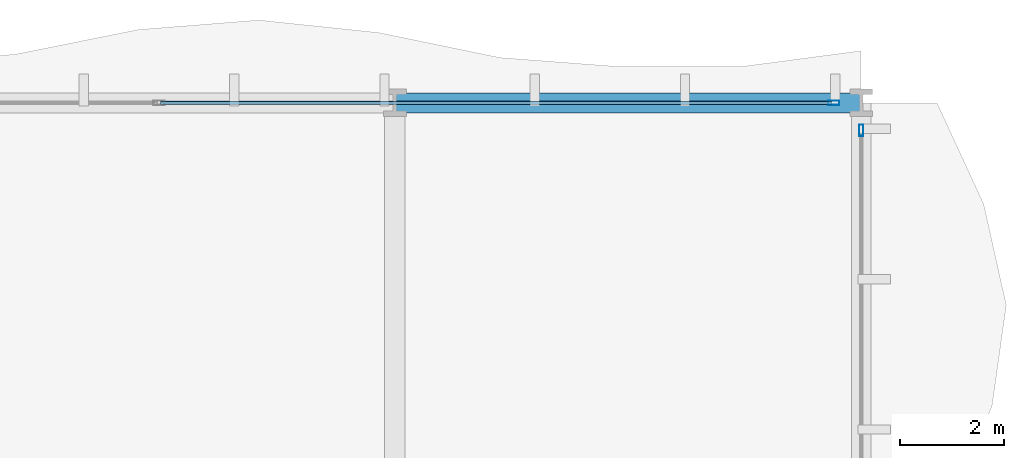
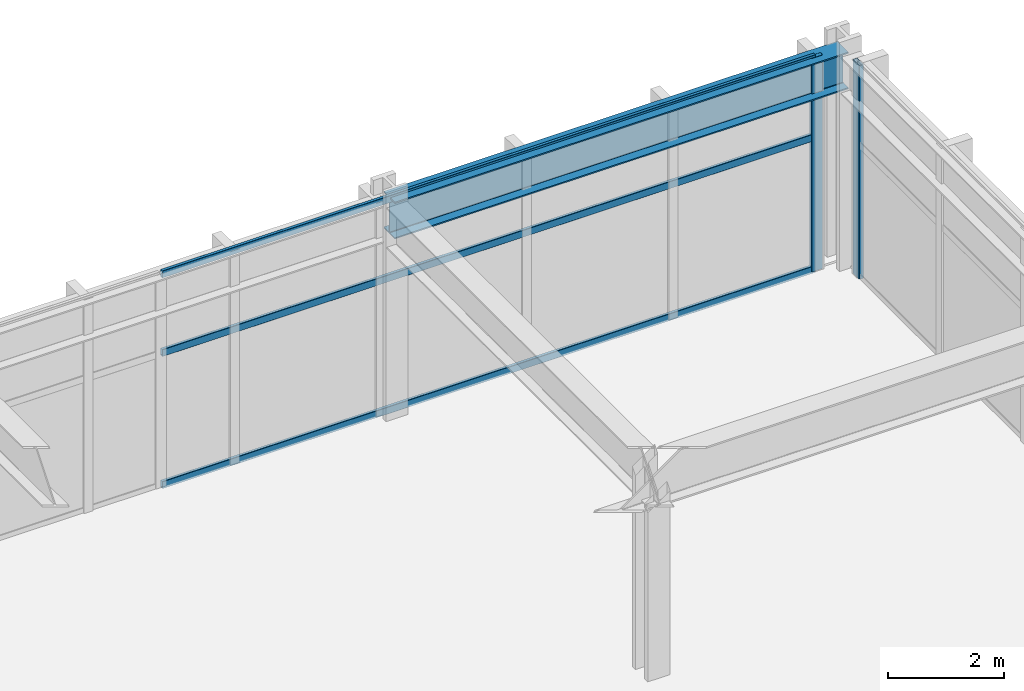
# One storey, part 18 of 29: 5 members, 1 beam, 2 elements without a shape of their own.
"""IFC4 building model written with IfcOpenShell, lengths in metres."""

from ifc_helpers import new_model, si_unit, direction, frame, origin, origin_2d, place, context, subcontext, project, spatial, hollow_rectangle, i_section, extrude, material, layer, layer_set, material_profile, profile_set, type_object, element, aggregate, save


model = new_model("IFC4")

# Units and contexts
model_context = context("Model", 3, precision=1e-05, world=origin(), true_north=direction((0.0, 1.0)))
body_context = subcontext(model_context, "Body", "Model", "MODEL_VIEW")
ifc_project = project(units=[si_unit("LENGTHUNIT", "METRE"), si_unit("AREAUNIT", "SQUARE_METRE"), si_unit("VOLUMEUNIT", "CUBIC_METRE"), si_unit("PLANEANGLEUNIT", "RADIAN"), si_unit("MASSUNIT", "GRAM", prefix="KILO")], contexts=[model_context])

# Site, building, storey
site_placement = place(None, origin())
site = spatial("IfcSite", under=ifc_project, at=site_placement, CompositionType="ELEMENT")
building_placement = place(site_placement, origin())
building = spatial("IfcBuilding", under=site, at=building_placement, Name="Solvaryn Broadcast Tower", CompositionType="ELEMENT")
storey_placement = place(building_placement, frame((0.0, 0.0, 21.199951171875)))
storey = spatial("IfcBuildingStorey", under=building, at=storey_placement, Name="L04", CompositionType="ELEMENT", Elevation=21.199951171875)

# Beam
ifc_material_1 = material(Name="Steel ASTM A992 Grade 50", Category="steel")
ifc_material_profile_1 = material_profile(ifc_material_1, i_section(OverallWidth=0.381103515625, OverallDepth=0.77294921875, WebThickness=0.0166015625, FlangeThickness=0.027099609375, FilletRadius=0.01806640625, at=origin_2d()))
ifc_profile_set_1 = profile_set([ifc_material_profile_1], Name="Steel ASTM A992 Grade 50")
beam_type = type_object("IfcBeamType", Name="BM-SP1-W30X173", PredefinedType="USERDEFINED", material=ifc_profile_set_1)
beam_placement = place(storey_placement, frame((54.0, 54.0, 4.093505859375), z_axis=(1.0, 0.0, 0.0), x_axis=(0.0, 1.0, 0.0)))
element("IfcBeam", 1, at=beam_placement, inside=storey, type_object=beam_type, Name="L04 Spandrel Beam X (54-63 @ Y=54)", ObjectType="SPANDREL", PredefinedType="USERDEFINED", context=body_context, shape_type="SweptSolid", body=[
    extrude(i_section(OverallWidth=0.381103515625, OverallDepth=0.77294921875, WebThickness=0.0166015625, FlangeThickness=0.027099609375, FilletRadius=0.01806640625, at=origin_2d()), origin(), (0.0, 0.0, 1.0), 9.0),
])

# Curtain wall, member
ifc_material_2 = material(Name="Aluminium and Terracotta Unitised Curtain Wall", Category="masonry")
ifc_layer = layer(ifc_material_2, 0.219970703125)
ifc_layer_set = layer_set([ifc_layer], Name="CW-SYS1-PODIUM")
curtain_wall_type = type_object("IfcCurtainWallType", Name="CW-SYS1-PODIUM", PredefinedType="NOTDEFINED", material=ifc_layer_set)
curtain_wall_1_placement = place(storey_placement, origin())
curtain_wall_1 = element("IfcCurtainWall", 2, at=curtain_wall_1_placement, inside=storey, type_object=curtain_wall_type, Name="L04 Podium Curtain Wall N2", PredefinedType="NOTDEFINED")
ifc_material_3 = material(Name="Anodised Aluminium 6063-T6", Category="aluminium")
ifc_material_profile_2 = material_profile(ifc_material_3, hollow_rectangle(XDim=0.0849609375, YDim=0.219970703125, WallThickness=0.0048828125, InnerFilletRadius=0.0048828125, OuterFilletRadius=0.010009765625, at=origin_2d()))
ifc_profile_set_2 = profile_set([ifc_material_profile_2], Name="Anodised Aluminium 6063-T6")
member_type_1 = type_object("IfcMemberType", Name="CW-MUL-220", PredefinedType="MULLION", material=ifc_profile_set_2)
member_1_placement = place(storey_placement, frame((62.469970703125, 54.0, 0.0), z_axis=(0.0, 0.0, 1.0), x_axis=(0.0, 1.0, 0.0)))
member_1 = element("IfcMember", 3, at=member_1_placement, type_object=member_type_1, Name="CWS1 mullion 3", PredefinedType="MULLION", context=body_context, shape_type="SweptSolid", body=[
    extrude(hollow_rectangle(XDim=0.0849609375, YDim=0.219970703125, WallThickness=0.0048828125, InnerFilletRadius=0.0048828125, OuterFilletRadius=0.010009765625, at=origin_2d()), origin(), (0.0, 0.0, 1.0), 4.47998046875),
])

curtain_wall_2_placement = place(storey_placement, origin())
curtain_wall_2 = element("IfcCurtainWall", 4, at=curtain_wall_2_placement, inside=storey, type_object=curtain_wall_type, Name="L04 Podium Curtain Wall E1", PredefinedType="NOTDEFINED")
member_2_placement = place(storey_placement, frame((63.0, 53.469970703125, 0.0), z_axis=(0.0, 0.0, 1.0), x_axis=(1.0, 0.0, 0.0)))
member_2 = element("IfcMember", 5, at=member_2_placement, type_object=member_type_1, Name="CWS1 mullion 1", PredefinedType="MULLION", context=body_context, shape_type="SweptSolid", body=[
    extrude(hollow_rectangle(XDim=0.0849609375, YDim=0.219970703125, WallThickness=0.0048828125, InnerFilletRadius=0.0048828125, OuterFilletRadius=0.010009765625, at=origin_2d()), origin(), (0.0, 0.0, 1.0), 4.47998046875),
])
aggregate(curtain_wall_2, [member_2])

# Member
ifc_material_4 = material(Name="Anodised Aluminium 6063-T6", Category="aluminium")
ifc_material_profile_3 = material_profile(ifc_material_4, hollow_rectangle(XDim=0.06494140625, YDim=0.14990234375, WallThickness=0.00390625, InnerFilletRadius=0.00390625, OuterFilletRadius=0.008056640625, at=origin_2d()))
ifc_profile_set_3 = profile_set([ifc_material_profile_3], Name="Anodised Aluminium 6063-T6")
member_type_2 = type_object("IfcMemberType", Name="CW-TRN-150", PredefinedType="USERDEFINED", material=ifc_profile_set_3)
member_3_placement = place(storey_placement, frame((49.47998046875, 54.0, 0.030029296875), z_axis=(1.0, 0.0, 0.0), x_axis=(0.0, 1.0, 0.0)))
member_3 = element("IfcMember", 6, at=member_3_placement, type_object=member_type_2, Name="CWS1 transom 2.1", ObjectType="TRANSOM", PredefinedType="USERDEFINED", context=body_context, shape_type="SweptSolid", body=[
    extrude(hollow_rectangle(XDim=0.06494140625, YDim=0.14990234375, WallThickness=0.00390625, InnerFilletRadius=0.00390625, OuterFilletRadius=0.008056640625, at=origin_2d()), origin(), (0.0, 0.0, 1.0), 12.9599609375),
])

member_4_placement = place(storey_placement, frame((49.47998046875, 54.0, 2.800048828125), z_axis=(1.0, 0.0, 0.0), x_axis=(0.0, 1.0, 0.0)))
member_4 = element("IfcMember", 7, at=member_4_placement, type_object=member_type_2, Name="CWS1 transom 2.2", ObjectType="TRANSOM", PredefinedType="USERDEFINED", context=body_context, shape_type="SweptSolid", body=[
    extrude(hollow_rectangle(XDim=0.06494140625, YDim=0.14990234375, WallThickness=0.00390625, InnerFilletRadius=0.00390625, OuterFilletRadius=0.008056640625, at=origin_2d()), origin(), (0.0, 0.0, 1.0), 12.9599609375),
])

member_5_placement = place(storey_placement, frame((49.47998046875, 54.0, 4.449951171875), z_axis=(1.0, 0.0, 0.0), x_axis=(0.0, 1.0, 0.0)))
member_5 = element("IfcMember", 8, at=member_5_placement, type_object=member_type_2, Name="CWS1 transom 2.3", ObjectType="TRANSOM", PredefinedType="USERDEFINED", context=body_context, shape_type="SweptSolid", body=[
    extrude(hollow_rectangle(XDim=0.06494140625, YDim=0.14990234375, WallThickness=0.00390625, InnerFilletRadius=0.00390625, OuterFilletRadius=0.008056640625, at=origin_2d()), origin(), (0.0, 0.0, 1.0), 12.9599609375),
])

aggregate(curtain_wall_1, [member_1, member_3, member_4, member_5])

save(model, "model.ifc")
